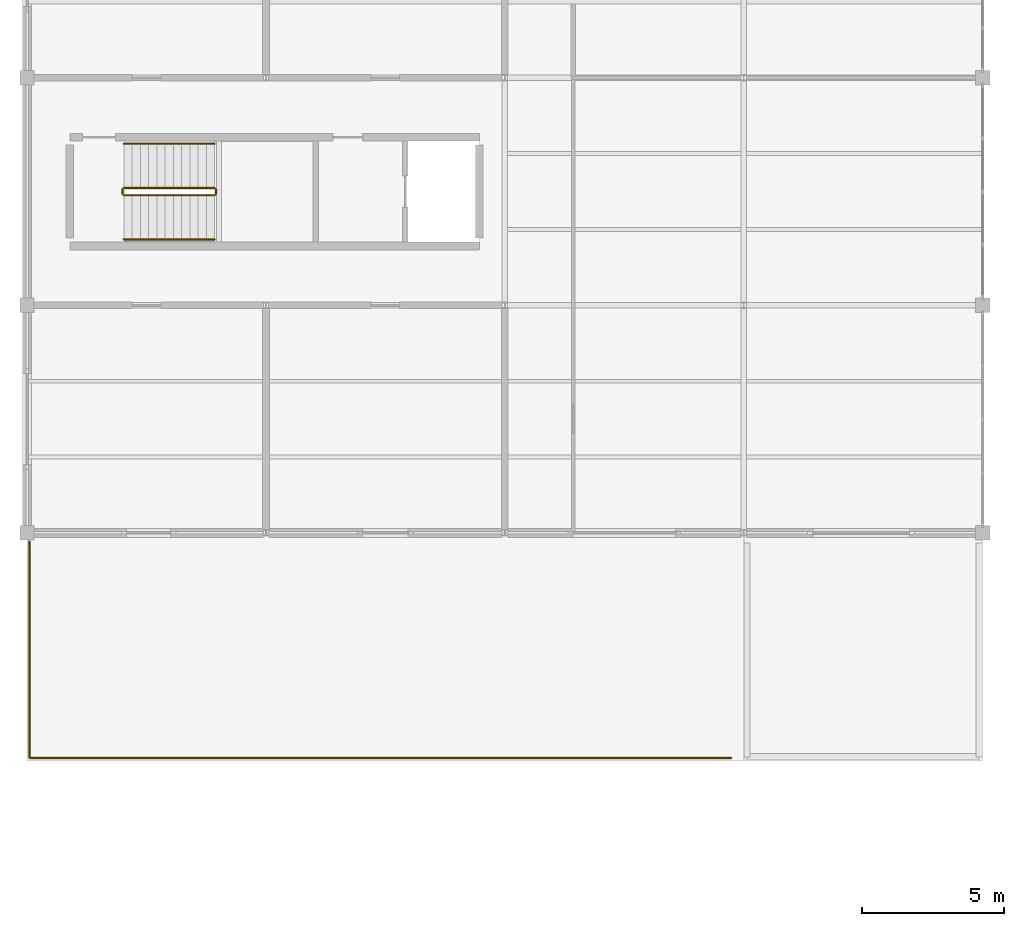
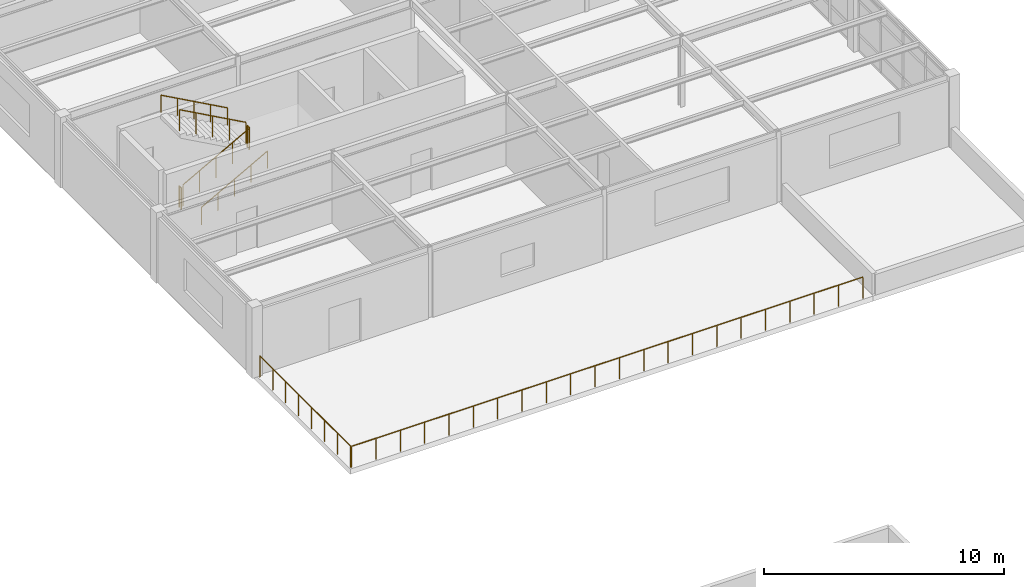
# One storey, part 29 of 32: 8 railings.
"""IFC4 building model written with IfcOpenShell, lengths in metres."""

from ifc_helpers import new_model, si_unit, direction, frame, origin, origin_2d, place, context, subcontext, project, spatial, circle, extrude, material, type_object, element, save


model = new_model("IFC4")

# Units and contexts
model_context = context("Model", 3, precision=1e-05, world=origin(), true_north=direction((0.0, 1.0)))
body_context = subcontext(model_context, "Body", "Model", "MODEL_VIEW")
ifc_project = project(units=[si_unit("LENGTHUNIT", "METRE"), si_unit("AREAUNIT", "SQUARE_METRE"), si_unit("VOLUMEUNIT", "CUBIC_METRE"), si_unit("PLANEANGLEUNIT", "RADIAN"), si_unit("MASSUNIT", "GRAM", prefix="KILO")], contexts=[model_context])

# Site, building, storey
site_placement = place(None, origin())
site = spatial("IfcSite", under=ifc_project, at=site_placement, CompositionType="ELEMENT")
building_placement = place(site_placement, origin())
building = spatial("IfcBuilding", under=site, at=building_placement, Name="Kranzveld Transit Interchange", CompositionType="ELEMENT")
storey_placement = place(building_placement, frame((0.0, 0.0, 17.199951171875)))
storey = spatial("IfcBuildingStorey", under=building, at=storey_placement, Name="L04", CompositionType="ELEMENT", Elevation=17.199951171875)

# Railings
ifc_material_1 = material(Name="Steel S355JR", Category="steel")
railing_type_1 = type_object("IfcRailingType", Name="Stair & Ramp Handrail Steel 900", PredefinedType="HANDRAIL", material=ifc_material_1)
railing_1_placement = place(storey_placement, frame((3.39990234375, 66.320068359375, 0.16015625)))
element("IfcRailing", 1, at=railing_1_placement, inside=storey, type_object=railing_type_1, Name="L04 ST-C1 stair handrail 1", PredefinedType="HANDRAIL", context=body_context, shape_type="SweptSolid", body=[
    extrude(circle(Radius=0.02392578125, at=origin_2d()), frame((0.0, 0.0, 0.8759765625), z_axis=(0.875588434347, 0.0, 0.483057857443), x_axis=(0.0, 1.0, 0.0)), (0.0, 0.0, 1.0), 3.6435546875),
    extrude(circle(Radius=0.02099609375, at=origin_2d()), origin(), (0.0, 0.0, 1.0), 0.849853515625),
    extrude(circle(Radius=0.02099609375, at=origin_2d()), frame((0.797607421875, 0.0, 0.43994140625)), (0.0, 0.0, 1.0), 0.849853515625),
    extrude(circle(Radius=0.02099609375, at=origin_2d()), frame((1.59521484375, 0.0, 0.8798828125)), (0.0, 0.0, 1.0), 0.849853515625),
    extrude(circle(Radius=0.02099609375, at=origin_2d()), frame((2.392578125, 0.0, 1.320068359375)), (0.0, 0.0, 1.0), 0.849853515625),
    extrude(circle(Radius=0.02099609375, at=origin_2d()), frame((3.190185546875, 0.0, 1.760009765625)), (0.0, 0.0, 1.0), 0.849853515625),
])
railing_2_placement = place(storey_placement, frame((6.590087890625, 69.679931640625, 2.080078125)))
element("IfcRailing", 2, at=railing_2_placement, inside=storey, type_object=railing_type_1, Name="L04 ST-C1 stair handrail 2", PredefinedType="HANDRAIL", context=body_context, shape_type="SweptSolid", body=[
    extrude(circle(Radius=0.02392578125, at=origin_2d()), frame((0.0, 0.0, 0.8759765625), z_axis=(-0.875588434347, 0.0, 0.483057857443), x_axis=(0.0, -1.0, 0.0)), (0.0, 0.0, 1.0), 3.6435546875),
    extrude(circle(Radius=0.02099609375, at=origin_2d()), origin(), (0.0, 0.0, 1.0), 0.849853515625),
    extrude(circle(Radius=0.02099609375, at=origin_2d()), frame((-0.797607421875, 0.0, 0.43994140625)), (0.0, 0.0, 1.0), 0.849853515625),
    extrude(circle(Radius=0.02099609375, at=origin_2d()), frame((-1.59521484375, 0.0, 0.8798828125)), (0.0, 0.0, 1.0), 0.849853515625),
    extrude(circle(Radius=0.02099609375, at=origin_2d()), frame((-2.392578125, 0.0, 1.320068359375)), (0.0, 0.0, 1.0), 0.849853515625),
    extrude(circle(Radius=0.02099609375, at=origin_2d()), frame((-3.190185546875, 0.0, 1.760009765625)), (0.0, 0.0, 1.0), 0.849853515625),
])
ifc_material_2 = material(Name="Steel S355JR", Category="steel")
railing_type_2 = type_object("IfcRailingType", Name="Stair Well Guardrail Steel 1100", PredefinedType="GUARDRAIL", material=ifc_material_2)
railing_3_placement = place(storey_placement, frame((3.39990234375, 67.8701171875, 0.16015625)))
element("IfcRailing", 3, at=railing_3_placement, inside=storey, type_object=railing_type_2, Name="L04 ST-C1 stair guard 1", PredefinedType="GUARDRAIL", context=body_context, shape_type="SweptSolid", body=[
    extrude(circle(Radius=0.02392578125, at=origin_2d()), frame((0.0, 0.0, 1.076171875), z_axis=(0.875588434347, 0.0, 0.483057857443), x_axis=(0.0, 1.0, 0.0)), (0.0, 0.0, 1.0), 3.6435546875),
    extrude(circle(Radius=0.02099609375, at=origin_2d()), origin(), (0.0, 0.0, 1.0), 1.050048828125),
    extrude(circle(Radius=0.02099609375, at=origin_2d()), frame((0.797607421875, 0.0, 0.43994140625)), (0.0, 0.0, 1.0), 1.050048828125),
    extrude(circle(Radius=0.02099609375, at=origin_2d()), frame((1.59521484375, 0.0, 0.8798828125)), (0.0, 0.0, 1.0), 1.050048828125),
    extrude(circle(Radius=0.02099609375, at=origin_2d()), frame((2.392578125, 0.0, 1.320068359375)), (0.0, 0.0, 1.0), 1.050048828125),
    extrude(circle(Radius=0.02099609375, at=origin_2d()), frame((3.190185546875, 0.0, 1.760009765625)), (0.0, 0.0, 1.0), 1.050048828125),
])
railing_4_placement = place(storey_placement, frame((6.639892578125, 67.919921875, 1.920166015625)))
element("IfcRailing", 4, at=railing_4_placement, inside=storey, type_object=railing_type_2, Name="L04 ST-C1 stair guard 2", PredefinedType="GUARDRAIL", context=body_context, shape_type="SweptSolid", body=[
    extrude(circle(Radius=0.02392578125, at=origin_2d()), frame((0.0, 0.0, 1.076171875), z_axis=(0.0, 1.0, 0.0), x_axis=(-1.0, 0.0, 0.0)), (0.0, 0.0, 1.0), 0.16015625),
    extrude(circle(Radius=0.02099609375, at=origin_2d()), origin(), (0.0, 0.0, 1.0), 1.050048828125),
    extrude(circle(Radius=0.02099609375, at=origin_2d()), frame((0.0, 0.16015625, 0.0)), (0.0, 0.0, 1.0), 1.050048828125),
])
railing_5_placement = place(storey_placement, frame((6.590087890625, 68.1298828125, 2.080078125)))
element("IfcRailing", 5, at=railing_5_placement, inside=storey, type_object=railing_type_2, Name="L04 ST-C1 stair guard 3", PredefinedType="GUARDRAIL", context=body_context, shape_type="SweptSolid", body=[
    extrude(circle(Radius=0.02392578125, at=origin_2d()), frame((0.0, 0.0, 1.076171875), z_axis=(-0.875588434347, 0.0, 0.483057857443), x_axis=(0.0, -1.0, 0.0)), (0.0, 0.0, 1.0), 3.6435546875),
    extrude(circle(Radius=0.02099609375, at=origin_2d()), origin(), (0.0, 0.0, 1.0), 1.050048828125),
    extrude(circle(Radius=0.02099609375, at=origin_2d()), frame((-0.797607421875, 0.0, 0.43994140625)), (0.0, 0.0, 1.0), 1.050048828125),
    extrude(circle(Radius=0.02099609375, at=origin_2d()), frame((-1.59521484375, 0.0, 0.8798828125)), (0.0, 0.0, 1.0), 1.050048828125),
    extrude(circle(Radius=0.02099609375, at=origin_2d()), frame((-2.392578125, 0.0, 1.320068359375)), (0.0, 0.0, 1.0), 1.050048828125),
    extrude(circle(Radius=0.02099609375, at=origin_2d()), frame((-3.190185546875, 0.0, 1.760009765625)), (0.0, 0.0, 1.0), 1.050048828125),
])
railing_6_placement = place(storey_placement, frame((3.35009765625, 67.919921875, 0.0)))
element("IfcRailing", 6, at=railing_6_placement, inside=storey, type_object=railing_type_2, Name="L04 ST-C1 stair guard 4", PredefinedType="GUARDRAIL", context=body_context, shape_type="SweptSolid", body=[
    extrude(circle(Radius=0.02392578125, at=origin_2d()), frame((0.0, 0.0, 1.076171875), z_axis=(0.0, 1.0, 0.0), x_axis=(-1.0, 0.0, 0.0)), (0.0, 0.0, 1.0), 0.16015625),
    extrude(circle(Radius=0.02099609375, at=origin_2d()), origin(), (0.0, 0.0, 1.0), 1.050048828125),
    extrude(circle(Radius=0.02099609375, at=origin_2d()), frame((0.0, 0.16015625, 0.0)), (0.0, 0.0, 1.0), 1.050048828125),
])
ifc_material_3 = material(Name="Steel S355JR", Category="steel")
railing_type_3 = type_object("IfcRailingType", Name="Terrace Balustrade Bronze-Steel 1100", PredefinedType="BALUSTRADE", material=ifc_material_3)
railing_7_placement = place(storey_placement, frame((24.75, 48.080078125, 0.0)))
element("IfcRailing", 7, at=railing_7_placement, inside=storey, type_object=railing_type_3, Name="L04 Terrace Balustrade TERR_L04_V5S-7", PredefinedType="BALUSTRADE", context=body_context, shape_type="SweptSolid", body=[
    extrude(circle(Radius=0.02392578125, at=origin_2d()), frame((0.0, 0.0, 1.076171875), z_axis=(-1.0, 0.0, 0.0), x_axis=(0.0, -1.0, 0.0)), (0.0, 0.0, 1.0), 24.639892578125),
    extrude(circle(Radius=0.02099609375, at=origin_2d()), origin(), (0.0, 0.0, 1.0), 1.050048828125),
    extrude(circle(Radius=0.02099609375, at=origin_2d()), frame((-1.17333984375, 0.0, 0.0)), (0.0, 0.0, 1.0), 1.050048828125),
    extrude(circle(Radius=0.02099609375, at=origin_2d()), frame((-2.3466796875, 0.0, 0.0)), (0.0, 0.0, 1.0), 1.050048828125),
    extrude(circle(Radius=0.02099609375, at=origin_2d()), frame((-3.52001953125, 0.0, 0.0)), (0.0, 0.0, 1.0), 1.050048828125),
    extrude(circle(Radius=0.02099609375, at=origin_2d()), frame((-4.693359375, 0.0, 0.0)), (0.0, 0.0, 1.0), 1.050048828125),
    extrude(circle(Radius=0.02099609375, at=origin_2d()), frame((-5.86669921875, 0.0, 0.0)), (0.0, 0.0, 1.0), 1.050048828125),
    extrude(circle(Radius=0.02099609375, at=origin_2d()), frame((-7.0400390625, 0.0, 0.0)), (0.0, 0.0, 1.0), 1.050048828125),
    extrude(circle(Radius=0.02099609375, at=origin_2d()), frame((-8.21337890625, 0.0, 0.0)), (0.0, 0.0, 1.0), 1.050048828125),
    extrude(circle(Radius=0.02099609375, at=origin_2d()), frame((-9.38671875, 0.0, 0.0)), (0.0, 0.0, 1.0), 1.050048828125),
    extrude(circle(Radius=0.02099609375, at=origin_2d()), frame((-10.56005859375, 0.0, 0.0)), (0.0, 0.0, 1.0), 1.050048828125),
    extrude(circle(Radius=0.02099609375, at=origin_2d()), frame((-11.7333984375, 0.0, 0.0)), (0.0, 0.0, 1.0), 1.050048828125),
    extrude(circle(Radius=0.02099609375, at=origin_2d()), frame((-12.906494140625, 0.0, 0.0)), (0.0, 0.0, 1.0), 1.050048828125),
    extrude(circle(Radius=0.02099609375, at=origin_2d()), frame((-14.079833984375, 0.0, 0.0)), (0.0, 0.0, 1.0), 1.050048828125),
    extrude(circle(Radius=0.02099609375, at=origin_2d()), frame((-15.253173828125, 0.0, 0.0)), (0.0, 0.0, 1.0), 1.050048828125),
    extrude(circle(Radius=0.02099609375, at=origin_2d()), frame((-16.426513671875, 0.0, 0.0)), (0.0, 0.0, 1.0), 1.050048828125),
    extrude(circle(Radius=0.02099609375, at=origin_2d()), frame((-17.599853515625, 0.0, 0.0)), (0.0, 0.0, 1.0), 1.050048828125),
    extrude(circle(Radius=0.02099609375, at=origin_2d()), frame((-18.773193359375, 0.0, 0.0)), (0.0, 0.0, 1.0), 1.050048828125),
    extrude(circle(Radius=0.02099609375, at=origin_2d()), frame((-19.946533203125, 0.0, 0.0)), (0.0, 0.0, 1.0), 1.050048828125),
    extrude(circle(Radius=0.02099609375, at=origin_2d()), frame((-21.119873046875, 0.0, 0.0)), (0.0, 0.0, 1.0), 1.050048828125),
    extrude(circle(Radius=0.02099609375, at=origin_2d()), frame((-22.293212890625, 0.0, 0.0)), (0.0, 0.0, 1.0), 1.050048828125),
    extrude(circle(Radius=0.02099609375, at=origin_2d()), frame((-23.466552734375, 0.0, 0.0)), (0.0, 0.0, 1.0), 1.050048828125),
    extrude(circle(Radius=0.02099609375, at=origin_2d()), frame((-24.639892578125, 0.0, 0.0)), (0.0, 0.0, 1.0), 1.050048828125),
])
railing_8_placement = place(storey_placement, frame((0.080078125, 48.110107421875, 0.0)))
element("IfcRailing", 8, at=railing_8_placement, inside=storey, type_object=railing_type_3, Name="L04 Terrace Balustrade TERR_L04_V5S-8", PredefinedType="BALUSTRADE", context=body_context, shape_type="SweptSolid", body=[
    extrude(circle(Radius=0.02392578125, at=origin_2d()), frame((0.0, 0.0, 1.076171875), z_axis=(0.0, 1.0, 0.0), x_axis=(-1.0, 0.0, 0.0)), (0.0, 0.0, 1.0), 7.579833984375),
    extrude(circle(Radius=0.02099609375, at=origin_2d()), origin(), (0.0, 0.0, 1.0), 1.050048828125),
    extrude(circle(Radius=0.02099609375, at=origin_2d()), frame((0.0, 1.082763671875, 0.0)), (0.0, 0.0, 1.0), 1.050048828125),
    extrude(circle(Radius=0.02099609375, at=origin_2d()), frame((0.0, 2.165771484375, 0.0)), (0.0, 0.0, 1.0), 1.050048828125),
    extrude(circle(Radius=0.02099609375, at=origin_2d()), frame((0.0, 3.24853515625, 0.0)), (0.0, 0.0, 1.0), 1.050048828125),
    extrude(circle(Radius=0.02099609375, at=origin_2d()), frame((0.0, 4.331298828125, 0.0)), (0.0, 0.0, 1.0), 1.050048828125),
    extrude(circle(Radius=0.02099609375, at=origin_2d()), frame((0.0, 5.4140625, 0.0)), (0.0, 0.0, 1.0), 1.050048828125),
    extrude(circle(Radius=0.02099609375, at=origin_2d()), frame((0.0, 6.4970703125, 0.0)), (0.0, 0.0, 1.0), 1.050048828125),
    extrude(circle(Radius=0.02099609375, at=origin_2d()), frame((0.0, 7.579833984375, 0.0)), (0.0, 0.0, 1.0), 1.050048828125),
])

save(model, "model.ifc")
